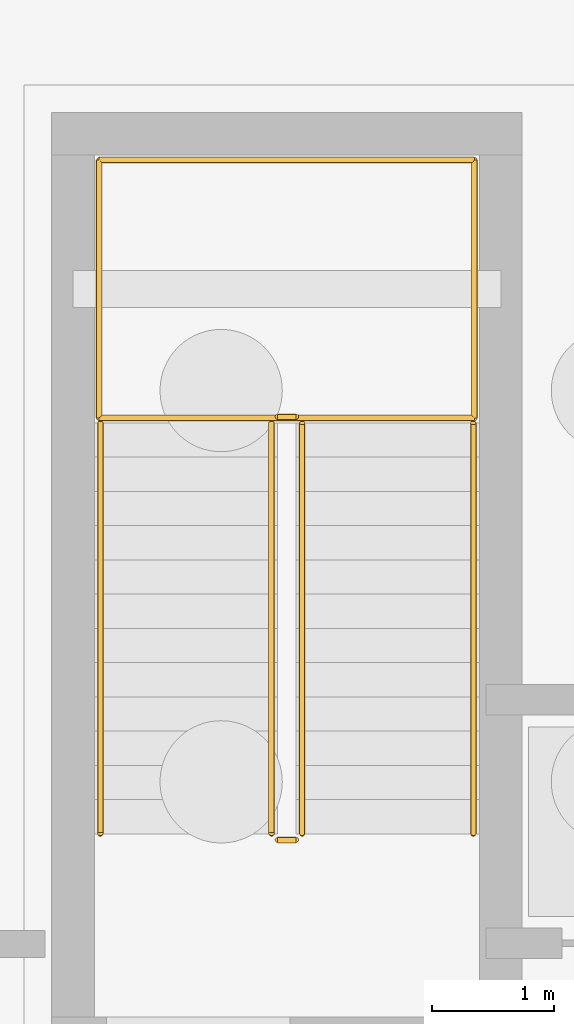
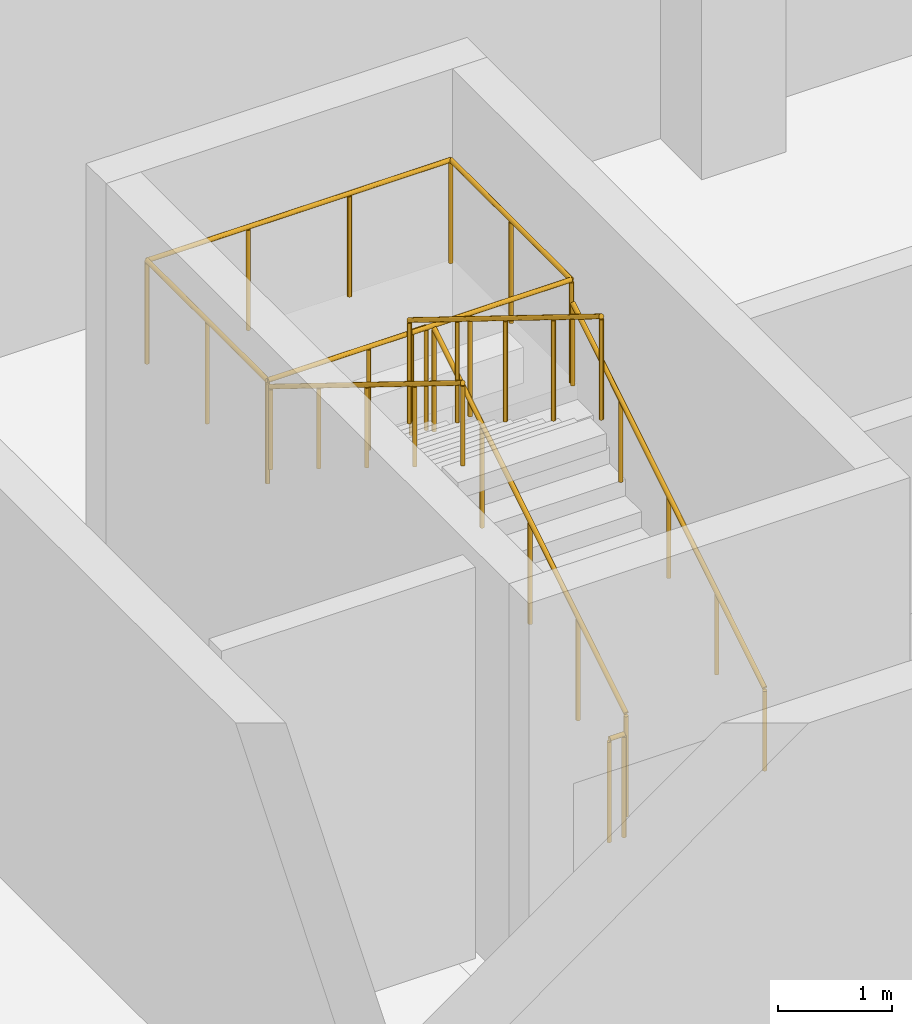
# One storey, part 24 of 28: 8 railings.
"""IFC4 building model written with IfcOpenShell, lengths in metres."""

import ifcopenshell
import ifcopenshell.guid

model = None  # the IFC model being written
_history = None  # IfcOwnerHistory: only IFC2X3 demands one
_inside = {}  # id of a spatial element -> (the spatial element, [elements in it])
_under = {}  # id of a project, library or spatial element -> (it, [spatial elements below it])
_declared = {}  # id of a project -> (the project, [libraries it declares])
_typed = {}  # id of a type object -> (the type object, [elements of that type])
_made_of = {}  # id of a material, layer set ... -> (it, [elements and type objects made of it])


def new_model(schema):
    """Start an empty IFC model of exactly this schema.

    Asked for "IFC4X3", IfcOpenShell would pick the latest addendum, in which some entities
    have other attributes; the version numbers below select the first issue.
    IFC2X3 requires an IfcOwnerHistory on every rooted entity: one is made here for all.
    """
    global model, _history
    if schema == "IFC4X3":
        model = ifcopenshell.file(schema_version=(4, 3, 0, 0))
    else:
        model = ifcopenshell.file(schema=schema)
    _inside.clear()
    _under.clear()
    _declared.clear()
    _typed.clear()
    _made_of.clear()
    _history = None
    if model.schema == "IFC2X3":
        org = make("IfcOrganization", Name="unknown")
        user = make(
            "IfcPersonAndOrganization",
            ThePerson=make("IfcPerson", FamilyName="unknown"),
            TheOrganization=org,
        )
        app = make(
            "IfcApplication",
            ApplicationDeveloper=org,
            Version="unknown",
            ApplicationFullName="unknown",
            ApplicationIdentifier="unknown",
        )
        _history = make(
            "IfcOwnerHistory",
            OwningUser=user,
            OwningApplication=app,
            ChangeAction="ADDED",
            CreationDate=0,
        )
    return model


def make(cls, **values):
    """One entity of the class cls with the attributes given. An attribute that is None is left unset."""
    return model.create_entity(
        cls, **{name: value for name, value in values.items() if value is not None}
    )


def rooted(cls, **values):
    """An entity with a GlobalId (a new one), such as an element, a storey or a relation."""
    return make(cls, GlobalId=ifcopenshell.guid.new(), OwnerHistory=_history, **values)


def si_unit(unit_type, name, prefix=None):
    """IfcSIUnit, for example si_unit("LENGTHUNIT", "METRE", prefix="MILLI")."""
    return make("IfcSIUnit", UnitType=unit_type, Prefix=prefix, Name=name)


def assignment(units):
    """IfcUnitAssignment: the units of a project."""
    return None if units is None else make("IfcUnitAssignment", Units=units)


def point(xyz):
    """IfcCartesianPoint."""
    return None if xyz is None else make("IfcCartesianPoint", Coordinates=xyz)


def direction(xyz):
    """IfcDirection."""
    return None if xyz is None else make("IfcDirection", DirectionRatios=xyz)


def frame(location, z_axis=None, x_axis=None):
    """IfcAxis2Placement3D, a coordinate frame: its origin and axes. An axis left out is left unset."""
    return make(
        "IfcAxis2Placement3D",
        Location=point(location),
        Axis=direction(z_axis),
        RefDirection=direction(x_axis),
    )


def frame_2d(location, x_axis=None):
    """IfcAxis2Placement2D, a coordinate frame in the plane: its origin and x axis."""
    return make(
        "IfcAxis2Placement2D", Location=point(location), RefDirection=direction(x_axis)
    )


def origin():
    """The frame at (0, 0, 0) with its axes left unset."""
    return frame((0.0, 0.0, 0.0))


def origin_2d():
    """The frame at (0, 0) in the plane with its x axis left unset."""
    return frame_2d((0.0, 0.0))


def place(relative_to, where):
    """IfcLocalPlacement: puts the frame where relative to a parent placement (None: the world)."""
    return make(
        "IfcLocalPlacement", PlacementRelTo=relative_to, RelativePlacement=where
    )


def context(
    kind, dimensions, precision=None, world=None, true_north=None, identifier=None
):
    """IfcGeometricRepresentationContext, for example the 3D "Model" context."""
    return make(
        "IfcGeometricRepresentationContext",
        ContextIdentifier=identifier,
        ContextType=kind,
        CoordinateSpaceDimension=dimensions,
        Precision=precision,
        WorldCoordinateSystem=world,
        TrueNorth=true_north,
    )


def subcontext(parent, identifier, kind, view, scale=None):
    """IfcGeometricRepresentationSubContext, for example "Body" below "Model"."""
    return make(
        "IfcGeometricRepresentationSubContext",
        ContextIdentifier=identifier,
        ContextType=kind,
        ParentContext=parent,
        TargetScale=scale,
        TargetView=view,
    )


def project(units=None, contexts=None):
    """IfcProject with its units and contexts."""
    return rooted(
        "IfcProject",
        Name="project",
        RepresentationContexts=contexts,
        UnitsInContext=assignment(units),
    )


def spatial(cls, under=None, at=None, **own):
    """A site, building, storey or space (cls), placed at a placement, below another one or the project."""
    s = rooted(cls, ObjectPlacement=at, **own)
    if under is not None:
        _under.setdefault(under.id(), (under, []))[1].append(s)
    return s


def profile(cls, at=None, kind="AREA", **sizes):
    """A parametric profile (cls). Its sizes go by their IFC names, for example OverallWidth=200.0."""
    return make(cls, ProfileType=kind, Position=at, **sizes)


def circle(**sizes):
    """IfcCircleProfileDef."""
    return profile("IfcCircleProfileDef", **sizes)


def extrude(swept, where, along, depth):
    """IfcExtrudedAreaSolid: the profile swept, set in the frame where, extruded along a direction by depth."""
    return make(
        "IfcExtrudedAreaSolid",
        SweptArea=swept,
        Position=where,
        ExtrudedDirection=direction(along),
        Depth=depth,
    )


def shape(context_of_items, identifier, shape_type, items):
    """IfcShapeRepresentation: the items that make up one representation, for example the "Body"."""
    return make(
        "IfcShapeRepresentation",
        ContextOfItems=context_of_items,
        RepresentationIdentifier=identifier,
        RepresentationType=shape_type,
        Items=items,
    )


def material(Name=None, Category=None):
    """IfcMaterial."""
    return make("IfcMaterial", Name=Name, Category=Category)


def made_of(thing, what):
    """Note that an element or type object is made of a material, layer set ...; save() writes the relation."""
    if what is not None:
        _made_of.setdefault(what.id(), (what, []))[1].append(thing)
    return thing


def type_object(cls, material=None, **own):
    """A type object (cls), such as IfcWallType, which elements share."""
    return made_of(rooted(cls, **own), material)


def element(
    cls,
    number,
    at=None,
    inside=None,
    cuts=None,
    type_object=None,
    material=None,
    context=None,
    identifier="Body",
    shape_type=None,
    held_by="IfcProductDefinitionShape",
    body=None,
    shapes=None,
    **own,
):
    """One element of the class cls, such as IfcWall. Its Tag is "e" and its number.

    at: its placement. inside: the storey or other place that contains it. cuts: it is an
    opening in that element (IfcRelVoidsElement). A single representation is given by context,
    identifier, shape_type and body (its items); several are given by shapes. held_by: the class
    of the entity that holds the representations. save() writes the other relations.
    """
    e = rooted(cls, Tag="e%d" % number, ObjectPlacement=at, **own)
    if body is not None:
        shapes = [shape(context, identifier, shape_type, body)]
    if shapes is not None:
        e.Representation = make(held_by, Representations=shapes)
    if inside is not None:
        _inside.setdefault(inside.id(), (inside, []))[1].append(e)
    if cuts is not None:
        rooted(
            "IfcRelVoidsElement", RelatingBuildingElement=cuts, RelatedOpeningElement=e
        )
    if type_object is not None:
        _typed.setdefault(type_object.id(), (type_object, []))[1].append(e)
    return made_of(e, material)


def aggregate(whole, parts):
    """IfcRelAggregates: a whole, such as a stair, and the parts it consists of."""
    return rooted("IfcRelAggregates", RelatingObject=whole, RelatedObjects=parts)


def save(model, path):
    """Write the relations noted so far, then the file.

    IfcRelAggregates (storeys below a building ...), IfcRelContainedInSpatialStructure (elements
    in a storey), IfcRelDefinesByType, IfcRelAssociatesMaterial and IfcRelDeclares: one each for
    every whole, place, type object, material and project.
    """
    for whole, parts in _under.values():
        aggregate(whole, parts)
    for where, things in _inside.values():
        rooted(
            "IfcRelContainedInSpatialStructure",
            RelatedElements=things,
            RelatingStructure=where,
        )
    for kind, things in _typed.values():
        rooted("IfcRelDefinesByType", RelatedObjects=things, RelatingType=kind)
    for what, things in _made_of.values():
        rooted("IfcRelAssociatesMaterial", RelatedObjects=things, RelatingMaterial=what)
    for by, libraries in _declared.values():
        rooted("IfcRelDeclares", RelatingContext=by, RelatedDefinitions=libraries)
    model.write(path)


model = new_model("IFC4")

# Units and contexts
model_context = context("Model", 3, precision=1e-05, world=origin(), true_north=direction((0.0, 1.0)))
body_context = subcontext(model_context, "Body", "Model", "MODEL_VIEW")
ifc_project = project(units=[si_unit("LENGTHUNIT", "METRE"), si_unit("AREAUNIT", "SQUARE_METRE"), si_unit("VOLUMEUNIT", "CUBIC_METRE"), si_unit("PLANEANGLEUNIT", "RADIAN"), si_unit("MASSUNIT", "GRAM", prefix="KILO")], contexts=[model_context])

# Site, building, storey
site_placement = place(None, origin())
site = spatial("IfcSite", under=ifc_project, at=site_placement, CompositionType="ELEMENT")
building_placement = place(site_placement, origin())
building = spatial("IfcBuilding", under=site, at=building_placement, Name="Miralva Faculty of Natural Sciences", CompositionType="ELEMENT")
storey_placement = place(building_placement, frame((0.0, 0.0, -4.5)))
storey = spatial("IfcBuildingStorey", under=building, at=storey_placement, Name="B1", CompositionType="ELEMENT", Elevation=-4.5)

# Railings
ifc_material = material(Name="Steel S355", Category="steel")
railing_type_1 = type_object("IfcRailingType", Name="RL-GR01", PredefinedType="GUARDRAIL", material=ifc_material)
railing_1_placement = place(storey_placement, frame((115.89990234375, 22.300048828125, 0.173095703125)))
element("IfcRailing", 1, at=railing_1_placement, inside=storey, type_object=railing_type_1, Name="Stair Core C3 safety guard B1-1", PredefinedType="GUARDRAIL", context=body_context, shape_type="SweptSolid", body=[
    extrude(circle(Radius=0.02392578125, at=origin_2d()), frame((0.0, 0.0, 1.09619140625), z_axis=(0.0, 0.850606129759, 0.525803396734), x_axis=(-1.0, 0.0, 0.0)), (0.0, 0.0, 1.0), 3.949951171875),
    extrude(circle(Radius=0.02099609375, at=origin_2d()), origin(), (0.0, 0.0, 1.0), 1.072021484375),
    extrude(circle(Radius=0.02099609375, at=origin_2d()), frame((0.0, 0.83984375, 0.519287109375)), (0.0, 0.0, 1.0), 1.072021484375),
    extrude(circle(Radius=0.02099609375, at=origin_2d()), frame((0.0, 1.679931640625, 1.03857421875)), (0.0, 0.0, 1.0), 1.072021484375),
    extrude(circle(Radius=0.02099609375, at=origin_2d()), frame((0.0, 2.52001953125, 1.5576171875)), (0.0, 0.0, 1.0), 1.072021484375),
    extrude(circle(Radius=0.02099609375, at=origin_2d()), frame((0.0, 3.35986328125, 2.076904296875)), (0.0, 0.0, 1.0), 1.072021484375),
])
railing_2_placement = place(storey_placement, frame((115.85009765625, 25.7099609375, 2.25)))
element("IfcRailing", 2, at=railing_2_placement, inside=storey, type_object=railing_type_1, Name="Stair Core C3 safety guard B1-2", PredefinedType="GUARDRAIL", context=body_context, shape_type="SweptSolid", body=[
    extrude(circle(Radius=0.02392578125, at=origin_2d()), frame((0.0, 0.0, 1.09619140625), z_axis=(-1.0, 0.0, 0.0), x_axis=(0.0, -1.0, 0.0)), (0.0, 0.0, 1.0), 0.150146484375),
    extrude(circle(Radius=0.02099609375, at=origin_2d()), origin(), (0.0, 0.0, 1.0), 1.072021484375),
    extrude(circle(Radius=0.02099609375, at=origin_2d()), frame((-0.150146484375, 0.0, 0.0)), (0.0, 0.0, 1.0), 1.072021484375),
])
railing_3_placement = place(storey_placement, frame((115.64990234375, 25.659912109375, 2.423095703125)))
element("IfcRailing", 3, at=railing_3_placement, inside=storey, type_object=railing_type_1, Name="Stair Core C3 safety guard B1-3", PredefinedType="GUARDRAIL", context=body_context, shape_type="SweptSolid", body=[
    extrude(circle(Radius=0.02392578125, at=origin_2d()), frame((0.0, 0.0, 1.09619140625), z_axis=(0.0, -0.850606129759, 0.525803396734), x_axis=(1.0, 0.0, 0.0)), (0.0, 0.0, 1.0), 3.949951171875),
    extrude(circle(Radius=0.02099609375, at=origin_2d()), origin(), (0.0, 0.0, 1.0), 1.072021484375),
    extrude(circle(Radius=0.02099609375, at=origin_2d()), frame((0.0, -0.83984375, 0.519287109375)), (0.0, 0.0, 1.0), 1.072021484375),
    extrude(circle(Radius=0.02099609375, at=origin_2d()), frame((0.0, -1.679931640625, 1.03857421875)), (0.0, 0.0, 1.0), 1.072021484375),
    extrude(circle(Radius=0.02099609375, at=origin_2d()), frame((0.0, -2.52001953125, 1.5576171875)), (0.0, 0.0, 1.0), 1.072021484375),
    extrude(circle(Radius=0.02099609375, at=origin_2d()), frame((0.0, -3.35986328125, 2.076904296875)), (0.0, 0.0, 1.0), 1.072021484375),
])
railing_4_placement = place(storey_placement, frame((115.85009765625, 22.25, 0.0)))
element("IfcRailing", 4, at=railing_4_placement, inside=storey, type_object=railing_type_1, Name="Stair Core C3 safety guard B1-4", PredefinedType="GUARDRAIL", context=body_context, shape_type="SweptSolid", body=[
    extrude(circle(Radius=0.02392578125, at=origin_2d()), frame((0.0, 0.0, 1.09619140625), z_axis=(-1.0, 0.0, 0.0), x_axis=(0.0, -1.0, 0.0)), (0.0, 0.0, 1.0), 0.150146484375),
    extrude(circle(Radius=0.02099609375, at=origin_2d()), origin(), (0.0, 0.0, 1.0), 1.072021484375),
    extrude(circle(Radius=0.02099609375, at=origin_2d()), frame((-0.150146484375, 0.0, 0.0)), (0.0, 0.0, 1.0), 1.072021484375),
])
railing_5_placement = place(storey_placement, frame((114.239990234375, 25.699951171875, 2.25)))
element("IfcRailing", 5, at=railing_5_placement, inside=storey, type_object=railing_type_1, Name="Stair Core C3 half-landing guard B1-1A", PredefinedType="GUARDRAIL", context=body_context, shape_type="SweptSolid", body=[
    extrude(circle(Radius=0.02392578125, at=origin_2d()), frame((0.0, 0.0, 1.09619140625), z_axis=(0.0, 1.0, 0.0), x_axis=(-1.0, 0.0, 0.0)), (0.0, 0.0, 1.0), 2.110107421875),
    extrude(circle(Radius=0.02392578125, at=origin_2d()), frame((0.0, 2.110107421875, 1.09619140625), z_axis=(1.0, 0.0, 0.0), x_axis=(0.0, 1.0, 0.0)), (0.0, 0.0, 1.0), 3.070068359375),
    extrude(circle(Radius=0.02099609375, at=origin_2d()), origin(), (0.0, 0.0, 1.0), 1.072021484375),
    extrude(circle(Radius=0.02099609375, at=origin_2d()), frame((0.0, 1.05517578125, 0.0)), (0.0, 0.0, 1.0), 1.072021484375),
    extrude(circle(Radius=0.02099609375, at=origin_2d()), frame((0.0, 2.110107421875, 0.0)), (0.0, 0.0, 1.0), 1.072021484375),
    extrude(circle(Radius=0.02099609375, at=origin_2d()), frame((1.0234375, 2.110107421875, 0.0)), (0.0, 0.0, 1.0), 1.072021484375),
    extrude(circle(Radius=0.02099609375, at=origin_2d()), frame((2.046630859375, 2.110107421875, 0.0)), (0.0, 0.0, 1.0), 1.072021484375),
    extrude(circle(Radius=0.02099609375, at=origin_2d()), frame((3.070068359375, 2.110107421875, 0.0)), (0.0, 0.0, 1.0), 1.072021484375),
])
railing_6_placement = place(storey_placement, frame((117.31005859375, 27.81005859375, 2.25)))
element("IfcRailing", 6, at=railing_6_placement, inside=storey, type_object=railing_type_1, Name="Stair Core C3 half-landing guard B1-1B", PredefinedType="GUARDRAIL", context=body_context, shape_type="SweptSolid", body=[
    extrude(circle(Radius=0.02392578125, at=origin_2d()), frame((0.0, 0.0, 1.09619140625), z_axis=(0.0, -1.0, 0.0), x_axis=(1.0, 0.0, 0.0)), (0.0, 0.0, 1.0), 2.110107421875),
    extrude(circle(Radius=0.02392578125, at=origin_2d()), frame((0.0, -2.110107421875, 1.09619140625), z_axis=(-1.0, 0.0, 0.0), x_axis=(0.0, -1.0, 0.0)), (0.0, 0.0, 1.0), 3.070068359375),
    extrude(circle(Radius=0.02099609375, at=origin_2d()), origin(), (0.0, 0.0, 1.0), 1.072021484375),
    extrude(circle(Radius=0.02099609375, at=origin_2d()), frame((0.0, -1.05517578125, 0.0)), (0.0, 0.0, 1.0), 1.072021484375),
    extrude(circle(Radius=0.02099609375, at=origin_2d()), frame((0.0, -2.110107421875, 0.0)), (0.0, 0.0, 1.0), 1.072021484375),
    extrude(circle(Radius=0.02099609375, at=origin_2d()), frame((-1.0234375, -2.110107421875, 0.0)), (0.0, 0.0, 1.0), 1.072021484375),
    extrude(circle(Radius=0.02099609375, at=origin_2d()), frame((-2.046630859375, -2.110107421875, 0.0)), (0.0, 0.0, 1.0), 1.072021484375),
    extrude(circle(Radius=0.02099609375, at=origin_2d()), frame((-3.070068359375, -2.110107421875, 0.0)), (0.0, 0.0, 1.0), 1.072021484375),
])
railing_type_2 = type_object("IfcRailingType", Name="RL-HR01", PredefinedType="HANDRAIL", material=ifc_material)
railing_7_placement = place(storey_placement, frame((117.300048828125, 22.300048828125, 0.173095703125)))
element("IfcRailing", 7, at=railing_7_placement, inside=storey, type_object=railing_type_2, Name="Stair Core C3 handrail B1-1", PredefinedType="HANDRAIL", context=body_context, shape_type="SweptSolid", body=[
    extrude(circle(Radius=0.02392578125, at=origin_2d()), frame((0.0, 0.0, 0.8759765625), z_axis=(0.0, 0.850606129759, 0.525803396734), x_axis=(-1.0, 0.0, 0.0)), (0.0, 0.0, 1.0), 3.949951171875),
    extrude(circle(Radius=0.02099609375, at=origin_2d()), origin(), (0.0, 0.0, 1.0), 0.851806640625),
    extrude(circle(Radius=0.02099609375, at=origin_2d()), frame((0.0, 0.83984375, 0.519287109375)), (0.0, 0.0, 1.0), 0.851806640625),
    extrude(circle(Radius=0.02099609375, at=origin_2d()), frame((0.0, 1.679931640625, 1.03857421875)), (0.0, 0.0, 1.0), 0.851806640625),
    extrude(circle(Radius=0.02099609375, at=origin_2d()), frame((0.0, 2.52001953125, 1.5576171875)), (0.0, 0.0, 1.0), 0.851806640625),
    extrude(circle(Radius=0.02099609375, at=origin_2d()), frame((0.0, 3.35986328125, 2.076904296875)), (0.0, 0.0, 1.0), 0.851806640625),
])
railing_8_placement = place(storey_placement, frame((114.25, 25.659912109375, 2.423095703125)))
element("IfcRailing", 8, at=railing_8_placement, inside=storey, type_object=railing_type_2, Name="Stair Core C3 handrail B1-2", PredefinedType="HANDRAIL", context=body_context, shape_type="SweptSolid", body=[
    extrude(circle(Radius=0.02392578125, at=origin_2d()), frame((0.0, 0.0, 0.8759765625), z_axis=(0.0, -0.850606129759, 0.525803396734), x_axis=(1.0, 0.0, 0.0)), (0.0, 0.0, 1.0), 3.949951171875),
    extrude(circle(Radius=0.02099609375, at=origin_2d()), origin(), (0.0, 0.0, 1.0), 0.851806640625),
    extrude(circle(Radius=0.02099609375, at=origin_2d()), frame((0.0, -0.83984375, 0.519287109375)), (0.0, 0.0, 1.0), 0.851806640625),
    extrude(circle(Radius=0.02099609375, at=origin_2d()), frame((0.0, -1.679931640625, 1.03857421875)), (0.0, 0.0, 1.0), 0.851806640625),
    extrude(circle(Radius=0.02099609375, at=origin_2d()), frame((0.0, -2.52001953125, 1.5576171875)), (0.0, 0.0, 1.0), 0.851806640625),
    extrude(circle(Radius=0.02099609375, at=origin_2d()), frame((0.0, -3.35986328125, 2.076904296875)), (0.0, 0.0, 1.0), 0.851806640625),
])

save(model, "model.ifc")
